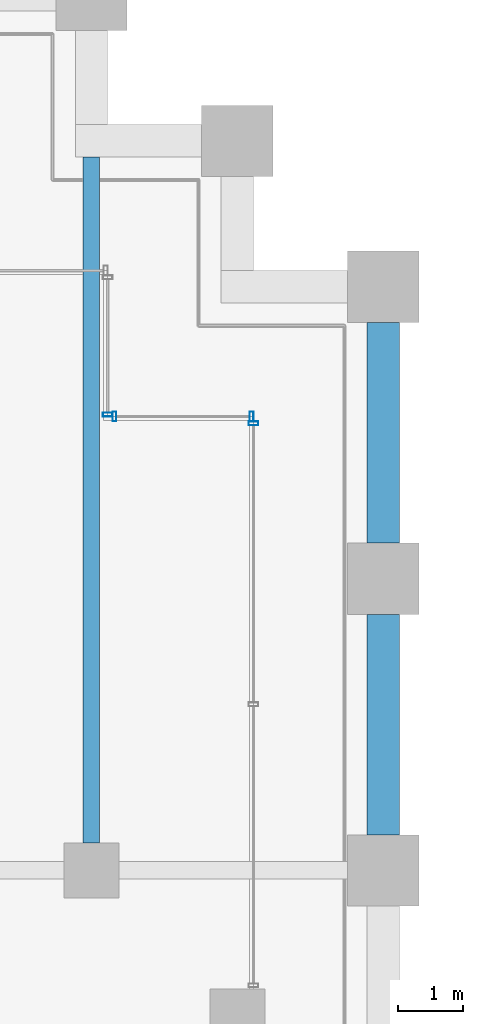
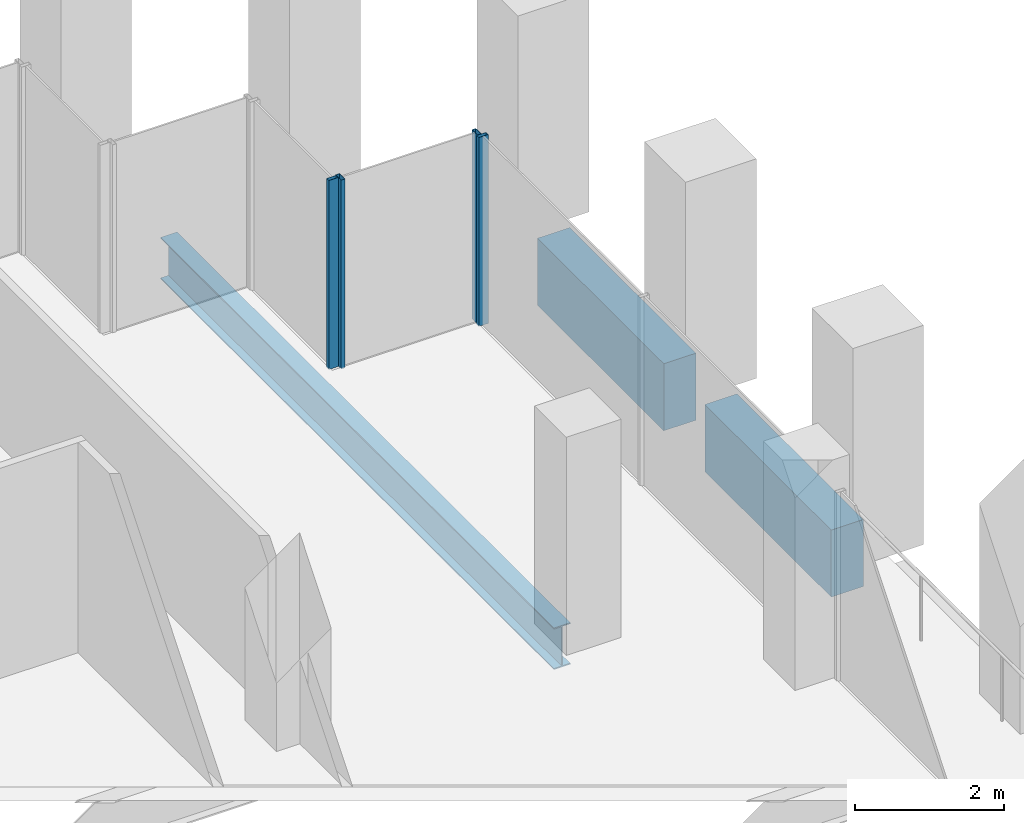
# One storey, part 31 of 54: 4 members, 3 beams, 3 elements without a shape of their own.
"""IFC4 building model written with IfcOpenShell, lengths in metres."""

from ifc_helpers import new_model, si_unit, direction, frame, origin, origin_2d, place, context, subcontext, project, spatial, rectangle, hollow_rectangle, i_section, extrude, material, material_profile, profile_set, type_object, element, aggregate, save


model = new_model("IFC4")

# Units and contexts
model_context = context("Model", 3, precision=1e-05, world=origin(), true_north=direction((0.0, 1.0)))
body_context = subcontext(model_context, "Body", "Model", "MODEL_VIEW")
ifc_project = project(units=[si_unit("LENGTHUNIT", "METRE"), si_unit("AREAUNIT", "SQUARE_METRE"), si_unit("VOLUMEUNIT", "CUBIC_METRE"), si_unit("PLANEANGLEUNIT", "RADIAN"), si_unit("MASSUNIT", "GRAM", prefix="KILO")], contexts=[model_context])

# Site, building, storey
site_placement = place(None, origin())
site = spatial("IfcSite", under=ifc_project, at=site_placement, CompositionType="ELEMENT")
building_placement = place(site_placement, origin())
building = spatial("IfcBuilding", under=site, at=building_placement, Name="Altepetl Exchange Towers", CompositionType="ELEMENT")
storey_placement = place(building_placement, frame((0.0, 0.0, 65.39990234375)))
storey = spatial("IfcBuildingStorey", under=building, at=storey_placement, Name="L15", CompositionType="ELEMENT", Elevation=65.39990234375)

# Beam
ifc_material_1 = material(Name="Steel S355", Category="steel")
ifc_material_profile_1 = material_profile(ifc_material_1, i_section(OverallWidth=0.25390625, OverallDepth=0.68408203125, WebThickness=0.012451171875, FlangeThickness=0.018798828125, at=origin_2d()), Name="W27X94")
ifc_profile_set_1 = profile_set([ifc_material_profile_1], Name="Steel S355")
beam_type_1 = type_object("IfcBeamType", Name="Floor beam W27X94", PredefinedType="BEAM", material=ifc_profile_set_1)
beam_placement = place(storey_placement, frame((67.5, 58.925048828125, -0.491943359375), z_axis=(0.0, 1.0, 0.0), x_axis=(-1.0, 0.0, 0.0)))
element("IfcBeam", 1, at=beam_placement, inside=storey, type_object=beam_type_1, Name="bm:A:L15:005", PredefinedType="BEAM", context=body_context, shape_type="SweptSolid", body=[
    extrude(i_section(OverallWidth=0.25390625, OverallDepth=0.68408203125, WebThickness=0.012451171875, FlangeThickness=0.018798828125, at=origin_2d()), origin(), (0.0, 0.0, 1.0), 10.574951171875),
])

# Curtain wall, member
ifc_material_2 = material(Name="Aluminium 6063-T6 glazing", Category="aluminium")
curtain_wall_type = type_object("IfcCurtainWallType", Name="Loggia glazing system", PredefinedType="NOTDEFINED", material=ifc_material_2)
curtain_wall_1_placement = place(storey_placement, origin())
curtain_wall_1 = element("IfcCurtainWall", 2, at=curtain_wall_1_placement, inside=storey, type_object=curtain_wall_type, Name="CW1 run", PredefinedType="NOTDEFINED")
ifc_material_3 = material(Name="Aluminium 6063-T6", Category="aluminium")
ifc_material_profile_2 = material_profile(ifc_material_3, hollow_rectangle(XDim=0.06005859375, YDim=0.14990234375, WallThickness=0.0029296875, at=origin_2d()), Name="Mullion 60x150 aluminium")
ifc_profile_set_2 = profile_set([ifc_material_profile_2], Name="Aluminium 6063-T6")
member_type = type_object("IfcMemberType", Name="Mullion 60x150 aluminium", PredefinedType="MULLION", material=ifc_profile_set_2)
member_1_placement = place(storey_placement, frame((70.0, 65.39501953125, 0.0), z_axis=(0.0, 0.0, 1.0), x_axis=(0.0, 1.0, 0.0)))
member_1 = element("IfcMember", 3, at=member_1_placement, type_object=member_type, Name="MU1 mullion", PredefinedType="MULLION", context=body_context, shape_type="SweptSolid", body=[
    extrude(hollow_rectangle(XDim=0.06005859375, YDim=0.14990234375, WallThickness=0.0029296875, at=origin_2d()), origin(), (0.0, 0.0, 1.0), 3.10009765625),
])
aggregate(curtain_wall_1, [member_1])

# Curtain wall, members
curtain_wall_2_placement = place(storey_placement, origin())
curtain_wall_2 = element("IfcCurtainWall", 4, at=curtain_wall_2_placement, inside=storey, type_object=curtain_wall_type, Name="CW1 run", PredefinedType="NOTDEFINED")
member_2_placement = place(storey_placement, frame((69.969970703125, 65.5, 0.0), z_axis=(0.0, 0.0, 1.0), x_axis=(-1.0, 0.0, 0.0)))
member_2 = element("IfcMember", 5, at=member_2_placement, type_object=member_type, Name="MU1 mullion", PredefinedType="MULLION", context=body_context, shape_type="SweptSolid", body=[
    extrude(hollow_rectangle(XDim=0.06005859375, YDim=0.14990234375, WallThickness=0.0029296875, at=origin_2d()), origin(), (0.0, 0.0, 1.0), 3.10009765625),
])
member_3_placement = place(storey_placement, frame((67.85498046875, 65.5, 0.0), z_axis=(0.0, 0.0, 1.0), x_axis=(-1.0, 0.0, 0.0)))
member_3 = element("IfcMember", 6, at=member_3_placement, type_object=member_type, Name="MU1 mullion", PredefinedType="MULLION", context=body_context, shape_type="SweptSolid", body=[
    extrude(hollow_rectangle(XDim=0.06005859375, YDim=0.14990234375, WallThickness=0.0029296875, at=origin_2d()), origin(), (0.0, 0.0, 1.0), 3.10009765625),
])
aggregate(curtain_wall_2, [member_2, member_3])

# Curtain wall, member
curtain_wall_3_placement = place(storey_placement, origin())
curtain_wall_3 = element("IfcCurtainWall", 7, at=curtain_wall_3_placement, inside=storey, type_object=curtain_wall_type, Name="CW1 run", PredefinedType="NOTDEFINED")
member_4_placement = place(storey_placement, frame((67.75, 65.530029296875, 0.0), z_axis=(0.0, 0.0, 1.0), x_axis=(0.0, 1.0, 0.0)))
member_4 = element("IfcMember", 8, at=member_4_placement, type_object=member_type, Name="MU1 mullion", PredefinedType="MULLION", context=body_context, shape_type="SweptSolid", body=[
    extrude(hollow_rectangle(XDim=0.06005859375, YDim=0.14990234375, WallThickness=0.0029296875, at=origin_2d()), origin(), (0.0, 0.0, 1.0), 3.10009765625),
])
aggregate(curtain_wall_3, [member_4])

# Beams
ifc_material_4 = material(Name="Concrete C50/60 precast with cantera rosa facing", Category="concrete")
ifc_material_profile_3 = material_profile(ifc_material_4, rectangle(XDim=0.5, YDim=1.10009765625, at=origin_2d()), Name="500 x 1100")
ifc_profile_set_3 = profile_set([ifc_material_profile_3], Name="Concrete C50/60 precast with cantera rosa facing")
beam_type_2 = type_object("IfcBeamType", Name="Spandrel beam 500x1100 cantera rosa", PredefinedType="SPANDREL", material=ifc_profile_set_3)
for number, where, z_axis, x_axis, name in (
    (9, (72.0, 59.050048828125, -0.699951171875), (0.0, 1.0, 0.0), (-1.0, 0.0, 0.0), "sp:A:L15:018"),
    (10, (72.0, 63.550048828125, -0.699951171875), (0.0, 1.0, 0.0), (-1.0, 0.0, 0.0), "sp:A:L15:019"),
):
    element("IfcBeam", number, at=place(storey_placement, frame(where, z_axis=z_axis, x_axis=x_axis)), inside=storey, type_object=beam_type_2, Name=name, PredefinedType="SPANDREL", context=body_context, shape_type="SweptSolid", body=[
        extrude(rectangle(XDim=0.5, YDim=1.10009765625, at=origin_2d()), origin(), (0.0, 0.0, 1.0), 3.39990234375),
    ])

save(model, "model.ifc")
